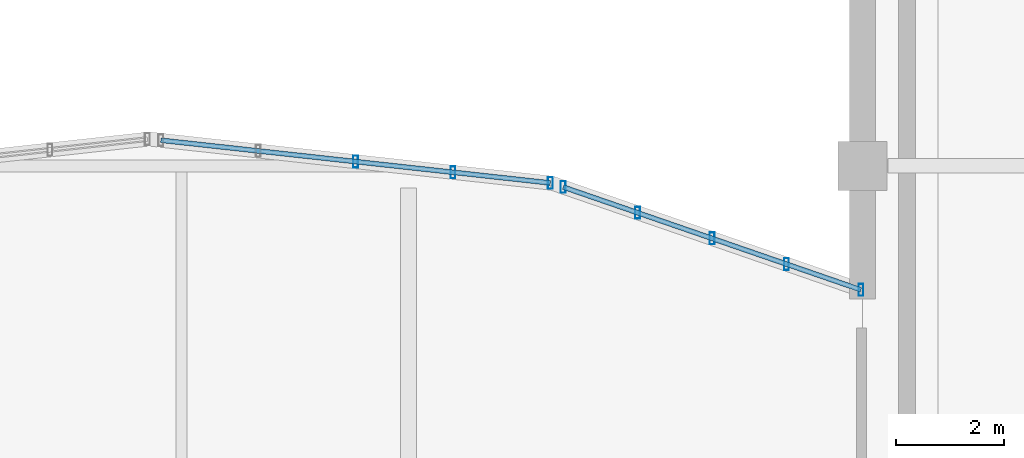
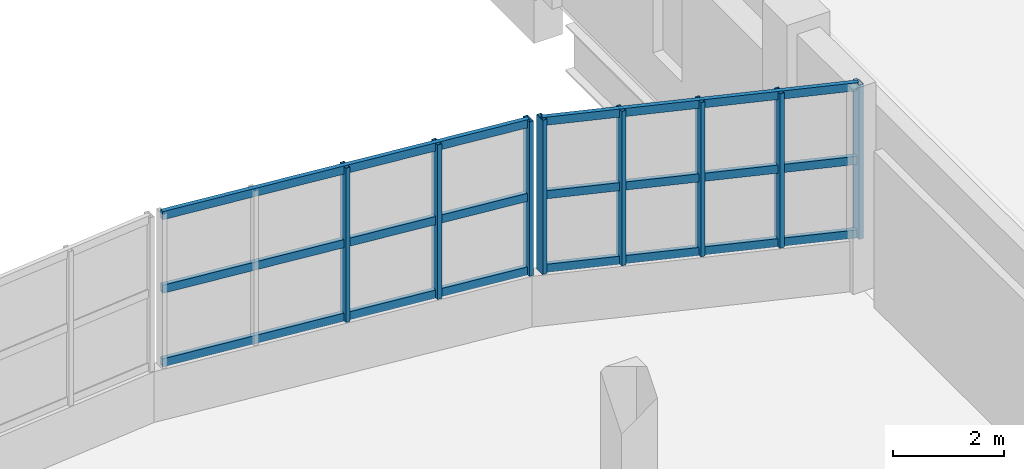
# One storey, part 28 of 117: 14 members, 2 elements without a shape of their own.
"""IFC4 building model written with IfcOpenShell, lengths in metres."""

from ifc_helpers import new_model, si_unit, direction, frame, origin, origin_2d, place, context, subcontext, project, spatial, hollow_rectangle, extrude, material, material_profile, profile_set, type_object, element, aggregate, save


model = new_model("IFC4")

# Units and contexts
model_context = context("Model", 3, precision=1e-05, world=origin(), true_north=direction((0.0, 1.0)))
body_context = subcontext(model_context, "Body", "Model", "MODEL_VIEW")
ifc_project = project(units=[si_unit("LENGTHUNIT", "METRE"), si_unit("AREAUNIT", "SQUARE_METRE"), si_unit("VOLUMEUNIT", "CUBIC_METRE"), si_unit("PLANEANGLEUNIT", "RADIAN"), si_unit("MASSUNIT", "GRAM", prefix="KILO")], contexts=[model_context])

# Site, building, storey
site_placement = place(None, origin())
site = spatial("IfcSite", under=ifc_project, at=site_placement, CompositionType="ELEMENT")
building_placement = place(site_placement, origin())
building = spatial("IfcBuilding", under=site, at=building_placement, Name="Solvento Point Concert Hall", CompositionType="ELEMENT")
storey_placement = place(building_placement, frame((0.0, 0.0, 5.39990234375)))
storey = spatial("IfcBuildingStorey", under=building, at=storey_placement, Name="L01", CompositionType="ELEMENT", Elevation=5.39990234375)

# Curtain wall, members
ifc_material_1 = material(Name="Anodized Bronze Aluminium", Category="aluminium")
curtain_wall_type = type_object("IfcCurtainWallType", Name="CurtainWall_RingRibbon_L01_02", PredefinedType="USERDEFINED", material=ifc_material_1)
curtain_wall_1_placement = place(storey_placement, origin())
curtain_wall_1 = element("IfcCurtainWall", 1, at=curtain_wall_1_placement, inside=storey, type_object=curtain_wall_type, Name="Unitised curtain wall CW-59 UCW-L01-104", ObjectType="UNITISED CURTAIN WALL", PredefinedType="USERDEFINED")
ifc_material_2 = material(Name="Anodized Bronze Aluminium", Category="aluminium")
ifc_material_profile_1 = material_profile(ifc_material_2, hollow_rectangle(XDim=0.090087890625, YDim=0.219970703125, WallThickness=0.00439453125, at=origin_2d()), Name="CW-MUL-90X220")
ifc_profile_set_1 = profile_set([ifc_material_profile_1], Name="Anodized Bronze Aluminium")
member_type_1 = type_object("IfcMemberType", Name="Mullion_90x220", PredefinedType="MULLION", material=ifc_profile_set_1)
member_1_placement = place(storey_placement, frame((65.021484375, 59.580810546875, 1.1201171875), z_axis=(0.0, 0.0, 1.0), x_axis=(1.0, 0.0, 0.0)))
member_1 = element("IfcMember", 2, at=member_1_placement, type_object=member_type_1, Name="Curtain wall mullion ML-02", PredefinedType="MULLION", context=body_context, shape_type="SweptSolid", body=[
    extrude(hollow_rectangle(XDim=0.090087890625, YDim=0.219970703125, WallThickness=0.00439453125, at=origin_2d()), origin(), (0.0, 0.0, 1.0), 3.409912109375),
])
member_2_placement = place(storey_placement, frame((66.82275390625, 59.383056640625, 1.1201171875), z_axis=(0.0, 0.0, 1.0), x_axis=(1.0, 0.0, 0.0)))
member_2 = element("IfcMember", 3, at=member_2_placement, type_object=member_type_1, Name="Curtain wall mullion ML-02", PredefinedType="MULLION", context=body_context, shape_type="SweptSolid", body=[
    extrude(hollow_rectangle(XDim=0.090087890625, YDim=0.219970703125, WallThickness=0.00439453125, at=origin_2d()), origin(), (0.0, 0.0, 1.0), 3.409912109375),
])
member_3_placement = place(storey_placement, frame((68.624267578125, 59.185546875, 1.1201171875), z_axis=(0.0, 0.0, 1.0), x_axis=(1.0, 0.0, 0.0)))
member_3 = element("IfcMember", 4, at=member_3_placement, type_object=member_type_1, Name="Curtain wall mullion ML-02", PredefinedType="MULLION", context=body_context, shape_type="SweptSolid", body=[
    extrude(hollow_rectangle(XDim=0.090087890625, YDim=0.219970703125, WallThickness=0.00439453125, at=origin_2d()), origin(), (0.0, 0.0, 1.0), 3.409912109375),
])

curtain_wall_2_placement = place(storey_placement, origin())
curtain_wall_2 = element("IfcCurtainWall", 5, at=curtain_wall_2_placement, inside=storey, type_object=curtain_wall_type, Name="Unitised curtain wall CW-59 UCW-L01-105", ObjectType="UNITISED CURTAIN WALL", PredefinedType="USERDEFINED")
member_4_placement = place(storey_placement, frame((68.862060546875, 59.1103515625, 1.1201171875), z_axis=(0.0, 0.0, 1.0), x_axis=(1.0, 0.0, 0.0)))
member_4 = element("IfcMember", 6, at=member_4_placement, type_object=member_type_1, Name="Curtain wall mullion ML-02", PredefinedType="MULLION", context=body_context, shape_type="SweptSolid", body=[
    extrude(hollow_rectangle(XDim=0.090087890625, YDim=0.219970703125, WallThickness=0.00439453125, at=origin_2d()), origin(), (0.0, 0.0, 1.0), 3.409912109375),
])
member_5_placement = place(storey_placement, frame((70.239501953125, 58.635009765625, 1.1201171875), z_axis=(0.0, 0.0, 1.0), x_axis=(1.0, 0.0, 0.0)))
member_5 = element("IfcMember", 7, at=member_5_placement, type_object=member_type_1, Name="Curtain wall mullion ML-02", PredefinedType="MULLION", context=body_context, shape_type="SweptSolid", body=[
    extrude(hollow_rectangle(XDim=0.090087890625, YDim=0.219970703125, WallThickness=0.00439453125, at=origin_2d()), origin(), (0.0, 0.0, 1.0), 3.409912109375),
])
member_6_placement = place(storey_placement, frame((71.61669921875, 58.159423828125, 1.1201171875), z_axis=(0.0, 0.0, 1.0), x_axis=(1.0, 0.0, 0.0)))
member_6 = element("IfcMember", 8, at=member_6_placement, type_object=member_type_1, Name="Curtain wall mullion ML-02", PredefinedType="MULLION", context=body_context, shape_type="SweptSolid", body=[
    extrude(hollow_rectangle(XDim=0.090087890625, YDim=0.219970703125, WallThickness=0.00439453125, at=origin_2d()), origin(), (0.0, 0.0, 1.0), 3.409912109375),
])
member_7_placement = place(storey_placement, frame((72.994140625, 57.68408203125, 1.1201171875), z_axis=(0.0, 0.0, 1.0), x_axis=(1.0, 0.0, 0.0)))
member_7 = element("IfcMember", 9, at=member_7_placement, type_object=member_type_1, Name="Curtain wall mullion ML-02", PredefinedType="MULLION", context=body_context, shape_type="SweptSolid", body=[
    extrude(hollow_rectangle(XDim=0.090087890625, YDim=0.219970703125, WallThickness=0.00439453125, at=origin_2d()), origin(), (0.0, 0.0, 1.0), 3.409912109375),
])
member_8_placement = place(storey_placement, frame((74.37158203125, 57.20849609375, 1.1201171875), z_axis=(0.0, 0.0, 1.0), x_axis=(1.0, 0.0, 0.0)))
member_8 = element("IfcMember", 10, at=member_8_placement, type_object=member_type_1, Name="Curtain wall mullion ML-02", PredefinedType="MULLION", context=body_context, shape_type="SweptSolid", body=[
    extrude(hollow_rectangle(XDim=0.090087890625, YDim=0.219970703125, WallThickness=0.00439453125, at=origin_2d()), origin(), (0.0, 0.0, 1.0), 3.409912109375),
])

# Member
ifc_material_3 = material(Name="Anodized Bronze Aluminium", Category="aluminium")
ifc_material_profile_2 = material_profile(ifc_material_3, hollow_rectangle(XDim=0.090087890625, YDim=0.179931640625, WallThickness=0.00439453125, at=origin_2d()), Name="CW-TRN-90X180")
ifc_profile_set_2 = profile_set([ifc_material_profile_2], Name="Anodized Bronze Aluminium")
member_type_2 = type_object("IfcMemberType", Name="Transom_90x180", PredefinedType="USERDEFINED", material=ifc_profile_set_2)
member_9_placement = place(storey_placement, frame((61.418701171875, 59.97607421875, 1.2001953125), z_axis=(0.994035576175, -0.109056285006, 0.0), x_axis=(0.109056285006, 0.994035576175, 0.0)))
member_9 = element("IfcMember", 11, at=member_9_placement, type_object=member_type_2, Name="Curtain wall transom TR-02", ObjectType="TRANSOM", PredefinedType="USERDEFINED", context=body_context, shape_type="SweptSolid", body=[
    extrude(hollow_rectangle(XDim=0.090087890625, YDim=0.179931640625, WallThickness=0.00439453125, at=origin_2d()), origin(), (0.0, 0.0, 1.0), 7.248779296875),
])

member_10_placement = place(storey_placement, frame((61.418701171875, 59.97607421875, 2.8251953125), z_axis=(0.994035576175, -0.109056285006, 0.0), x_axis=(0.109056285006, 0.994035576175, 0.0)))
member_10 = element("IfcMember", 12, at=member_10_placement, type_object=member_type_2, Name="Curtain wall transom TR-02", ObjectType="TRANSOM", PredefinedType="USERDEFINED", context=body_context, shape_type="SweptSolid", body=[
    extrude(hollow_rectangle(XDim=0.090087890625, YDim=0.179931640625, WallThickness=0.00439453125, at=origin_2d()), origin(), (0.0, 0.0, 1.0), 7.248779296875),
])

member_11_placement = place(storey_placement, frame((61.418701171875, 59.97607421875, 4.4501953125), z_axis=(0.994035576175, -0.109056285006, 0.0), x_axis=(0.109056285006, 0.994035576175, 0.0)))
member_11 = element("IfcMember", 13, at=member_11_placement, type_object=member_type_2, Name="Curtain wall transom TR-02", ObjectType="TRANSOM", PredefinedType="USERDEFINED", context=body_context, shape_type="SweptSolid", body=[
    extrude(hollow_rectangle(XDim=0.090087890625, YDim=0.179931640625, WallThickness=0.00439453125, at=origin_2d()), origin(), (0.0, 0.0, 1.0), 7.248779296875),
])

aggregate(curtain_wall_1, [member_1, member_2, member_3, member_9, member_10, member_11])

member_12_placement = place(storey_placement, frame((68.862060546875, 59.1103515625, 1.2001953125), z_axis=(0.945266098735, -0.32630047898, 0.0), x_axis=(0.32630047898, 0.945266098735, 0.0)))
member_12 = element("IfcMember", 14, at=member_12_placement, type_object=member_type_2, Name="Curtain wall transom TR-02", ObjectType="TRANSOM", PredefinedType="USERDEFINED", context=body_context, shape_type="SweptSolid", body=[
    extrude(hollow_rectangle(XDim=0.090087890625, YDim=0.179931640625, WallThickness=0.00439453125, at=origin_2d()), origin(), (0.0, 0.0, 1.0), 5.82861328125),
])

member_13_placement = place(storey_placement, frame((68.862060546875, 59.1103515625, 2.8251953125), z_axis=(0.945266098735, -0.32630047898, 0.0), x_axis=(0.32630047898, 0.945266098735, 0.0)))
member_13 = element("IfcMember", 15, at=member_13_placement, type_object=member_type_2, Name="Curtain wall transom TR-02", ObjectType="TRANSOM", PredefinedType="USERDEFINED", context=body_context, shape_type="SweptSolid", body=[
    extrude(hollow_rectangle(XDim=0.090087890625, YDim=0.179931640625, WallThickness=0.00439453125, at=origin_2d()), origin(), (0.0, 0.0, 1.0), 5.82861328125),
])

member_14_placement = place(storey_placement, frame((68.862060546875, 59.1103515625, 4.4501953125), z_axis=(0.945266098735, -0.32630047898, 0.0), x_axis=(0.32630047898, 0.945266098735, 0.0)))
member_14 = element("IfcMember", 16, at=member_14_placement, type_object=member_type_2, Name="Curtain wall transom TR-02", ObjectType="TRANSOM", PredefinedType="USERDEFINED", context=body_context, shape_type="SweptSolid", body=[
    extrude(hollow_rectangle(XDim=0.090087890625, YDim=0.179931640625, WallThickness=0.00439453125, at=origin_2d()), origin(), (0.0, 0.0, 1.0), 5.82861328125),
])

aggregate(curtain_wall_2, [member_4, member_5, member_6, member_7, member_8, member_12, member_13, member_14])

save(model, "model.ifc")
